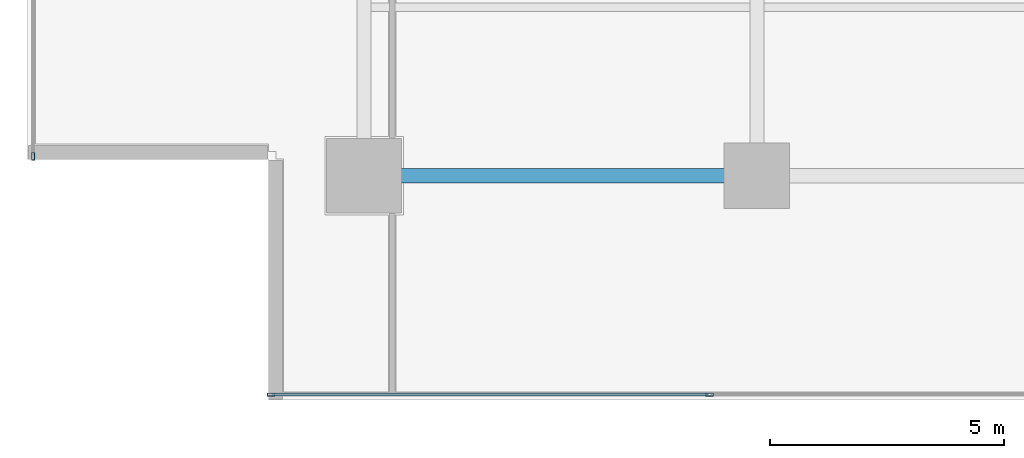
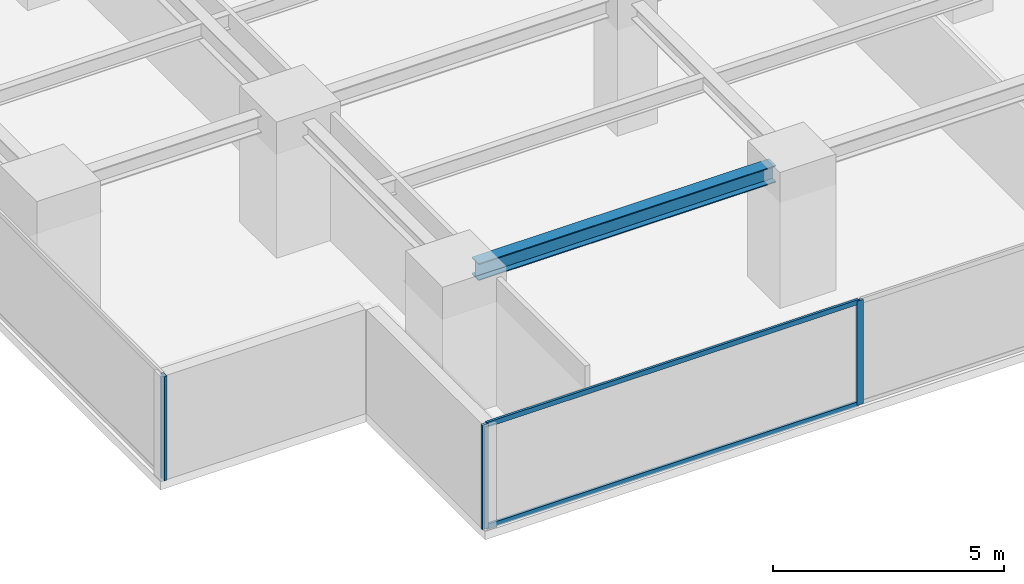
# One storey, part 2 of 27: 5 members, 1 beam, 2 elements without a shape of their own.
"""IFC4 building model written with IfcOpenShell, lengths in metres."""

from ifc_helpers import new_model, si_unit, direction, frame, origin, origin_2d, place, context, subcontext, project, spatial, hollow_rectangle, i_section, extrude, source, transform, mapped, material, layer, layer_set, material_profile, profile_set, type_object, element, aggregate, save


model = new_model("IFC4")

# Units and contexts
model_context = context("Model", 3, precision=1e-05, world=origin(), true_north=direction((0.0, 1.0)))
body_context = subcontext(model_context, "Body", "Model", "MODEL_VIEW")
ifc_project = project(units=[si_unit("LENGTHUNIT", "METRE"), si_unit("AREAUNIT", "SQUARE_METRE"), si_unit("VOLUMEUNIT", "CUBIC_METRE"), si_unit("PLANEANGLEUNIT", "RADIAN"), si_unit("MASSUNIT", "GRAM", prefix="KILO")], contexts=[model_context])

# Site, building, storey
site_placement = place(None, origin())
site = spatial("IfcSite", under=ifc_project, at=site_placement, CompositionType="ELEMENT")
building_placement = place(site_placement, origin())
building = spatial("IfcBuilding", under=site, at=building_placement, Name="Sumidabori Civic Tower", CompositionType="ELEMENT")
storey_placement = place(building_placement, frame((0.0, 0.0, 142.39990234375)))
storey = spatial("IfcBuildingStorey", under=building, at=storey_placement, Name="L36", CompositionType="ELEMENT", Elevation=142.39990234375)

# Beam
ifc_material_1 = material(Name="Steel SN490", Category="steel")
ifc_material_profile_1 = material_profile(ifc_material_1, i_section(OverallWidth=0.300048828125, OverallDepth=0.449951171875, WebThickness=0.013916015625, FlangeThickness=0.02587890625, at=origin_2d()), Name="HE 450 B")
ifc_profile_set_1 = profile_set([ifc_material_profile_1], Name="Steel SN490")
beam_type = type_object("IfcBeamType", Name="BM-GIRD-450", PredefinedType="BEAM", material=ifc_profile_set_1)
shared_shape_1 = source(origin(), body_context, "Body", "SweptSolid", [
    extrude(i_section(OverallWidth=0.300048828125, OverallDepth=0.449951171875, WebThickness=0.013916015625, FlangeThickness=0.02587890625, at=origin_2d()), origin(), (0.0, 0.0, 1.0), 7.440185546875),
])
beam_placement = place(storey_placement, frame((-16.320068359375, -18.0, 3.155029296875), z_axis=(1.0, 0.0, 0.0), x_axis=(0.0, 1.0, 0.0)))
element("IfcBeam", 1, at=beam_placement, inside=storey, type_object=beam_type, Name="Primary Girder L36 GX-01", PredefinedType="BEAM", context=body_context, shape_type="MappedRepresentation", body=[
    mapped(shared_shape_1, transform((0.0, 0.0, 0.0), x_axis=(1.0, 0.0, 0.0), y_axis=(0.0, 1.0, 0.0), z_axis=(0.0, 0.0, 1.0), scale=1.0)),
])

# Curtain wall, members
ifc_material_2 = material(Name="Anodised Bronze Aluminium AW-6063-T6", Category="aluminium")
ifc_layer = layer(ifc_material_2, 0.179931640625, Name="Anodised Bronze Aluminium AW-6063-T6")
ifc_layer_set = layer_set([ifc_layer], Name="Anodised Bronze Aluminium AW-6063-T6")
curtain_wall_type = type_object("IfcCurtainWallType", Name="CW-SYS-3", PredefinedType="NOTDEFINED", material=ifc_layer_set)
curtain_wall_1_placement = place(storey_placement, origin())
curtain_wall_1 = element("IfcCurtainWall", 2, at=curtain_wall_1_placement, inside=storey, type_object=curtain_wall_type, Name="Curtain Wall CW:L36:R01", PredefinedType="NOTDEFINED")
ifc_material_profile_2 = material_profile(ifc_material_2, hollow_rectangle(XDim=0.06494140625, YDim=0.159912109375, WallThickness=0.0048828125, at=origin_2d()), Name="ALU MULLION 160x65")
ifc_profile_set_2 = profile_set([ifc_material_profile_2], Name="Anodised Bronze Aluminium AW-6063-T6")
member_type_1 = type_object("IfcMemberType", Name="CW-MUL-160", PredefinedType="MULLION", material=ifc_profile_set_2)
shared_shape_2 = source(origin(), body_context, "Body", "SweptSolid", [
    extrude(hollow_rectangle(XDim=0.06494140625, YDim=0.159912109375, WallThickness=0.0048828125, at=origin_2d()), origin(), (0.0, 0.0, 1.0), 2.760009765625),
])
member_1_placement = place(storey_placement, frame((-18.78759765625, -22.679931640625, 0.0), z_axis=(0.0, 0.0, 1.0), x_axis=(0.0, 1.0, 0.0)))
member_1 = element("IfcMember", 3, at=member_1_placement, type_object=member_type_1, Name="CW-3 mullion 1", PredefinedType="MULLION", context=body_context, shape_type="MappedRepresentation", body=[
    mapped(shared_shape_2, transform((0.0, 0.0, 0.0), x_axis=(1.0, 0.0, 0.0), y_axis=(0.0, 1.0, 0.0), z_axis=(0.0, 0.0, 1.0), scale=1.0)),
])
member_2_placement = place(storey_placement, frame((-9.409912109375, -22.679931640625, 0.0), z_axis=(0.0, 0.0, 1.0), x_axis=(0.0, 1.0, 0.0)))
member_2 = element("IfcMember", 4, at=member_2_placement, type_object=member_type_1, Name="CW-3 mullion 2", PredefinedType="MULLION", context=body_context, shape_type="MappedRepresentation", body=[
    mapped(shared_shape_2, transform((0.0, 0.0, 0.0), x_axis=(1.0, 0.0, 0.0), y_axis=(0.0, 1.0, 0.0), z_axis=(0.0, 0.0, 1.0), scale=1.0)),
])

# Curtain wall, member
curtain_wall_2_placement = place(storey_placement, origin())
curtain_wall_2 = element("IfcCurtainWall", 5, at=curtain_wall_2_placement, inside=storey, type_object=curtain_wall_type, Name="Curtain Wall CW:L36:R10", PredefinedType="NOTDEFINED")
member_3_placement = place(storey_placement, frame((-23.8798828125, -17.58740234375, 0.0), z_axis=(0.0, 0.0, 1.0), x_axis=(1.0, 0.0, 0.0)))
member_3 = element("IfcMember", 6, at=member_3_placement, type_object=member_type_1, Name="CW-3 mullion 5", PredefinedType="MULLION", context=body_context, shape_type="MappedRepresentation", body=[
    mapped(shared_shape_2, transform((0.0, 0.0, 0.0), x_axis=(1.0, 0.0, 0.0), y_axis=(0.0, 1.0, 0.0), z_axis=(0.0, 0.0, 1.0), scale=1.0)),
])
aggregate(curtain_wall_2, [member_3])

# Member
ifc_material_profile_3 = material_profile(ifc_material_2, hollow_rectangle(XDim=0.06005859375, YDim=0.1298828125, WallThickness=0.0048828125, at=origin_2d()), Name="ALU TRANSOM 130x60")
ifc_profile_set_3 = profile_set([ifc_material_profile_3], Name="Anodised Bronze Aluminium AW-6063-T6")
member_type_2 = type_object("IfcMemberType", Name="CW-TRN-130", PredefinedType="USERDEFINED", material=ifc_profile_set_3)
shared_shape_3 = source(origin(), body_context, "Body", "SweptSolid", [
    extrude(hollow_rectangle(XDim=0.06005859375, YDim=0.1298828125, WallThickness=0.0048828125, at=origin_2d()), origin(), (0.0, 0.0, 1.0), 9.3125),
])
member_4_placement = place(storey_placement, frame((-18.7548828125, -22.679931640625, 0.030029296875), z_axis=(1.0, 0.0, 0.0), x_axis=(0.0, 1.0, 0.0)))
member_4 = element("IfcMember", 7, at=member_4_placement, type_object=member_type_2, Name="CW-3 transom 1.1", ObjectType="TRANSOM", PredefinedType="USERDEFINED", context=body_context, shape_type="MappedRepresentation", body=[
    mapped(shared_shape_3, transform((0.0, 0.0, 0.0), x_axis=(1.0, 0.0, 0.0), y_axis=(0.0, 1.0, 0.0), z_axis=(0.0, 0.0, 1.0), scale=1.0)),
])

member_5_placement = place(storey_placement, frame((-18.7548828125, -22.679931640625, 2.72998046875), z_axis=(1.0, 0.0, 0.0), x_axis=(0.0, 1.0, 0.0)))
member_5 = element("IfcMember", 8, at=member_5_placement, type_object=member_type_2, Name="CW-3 transom 1.2", ObjectType="TRANSOM", PredefinedType="USERDEFINED", context=body_context, shape_type="MappedRepresentation", body=[
    mapped(shared_shape_3, transform((0.0, 0.0, 0.0), x_axis=(1.0, 0.0, 0.0), y_axis=(0.0, 1.0, 0.0), z_axis=(0.0, 0.0, 1.0), scale=1.0)),
])

aggregate(curtain_wall_1, [member_1, member_2, member_4, member_5])

save(model, "model.ifc")
